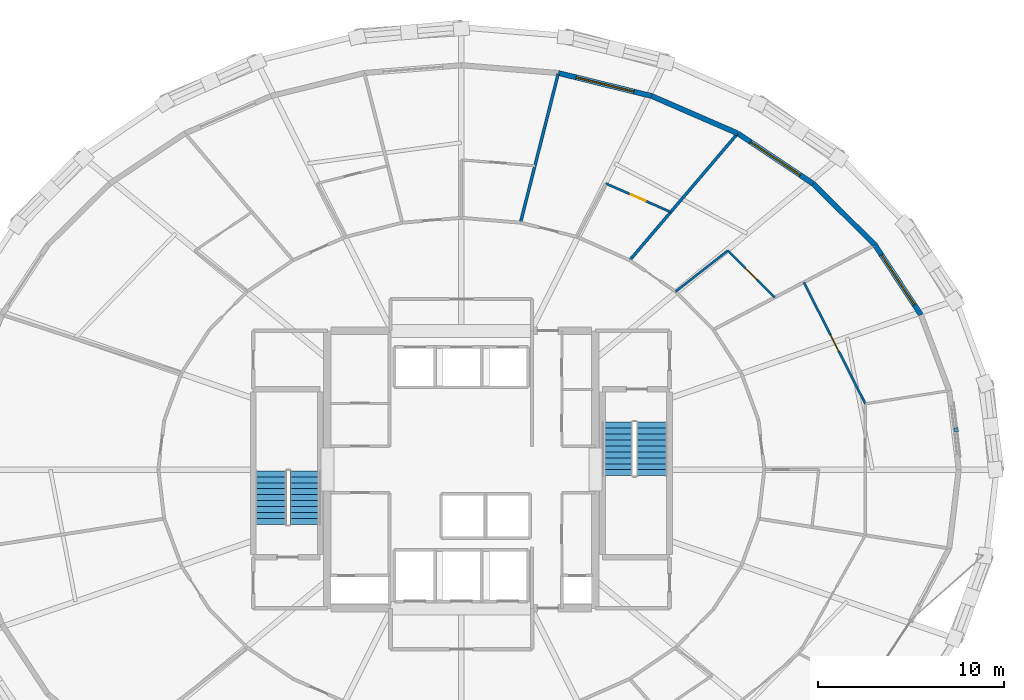
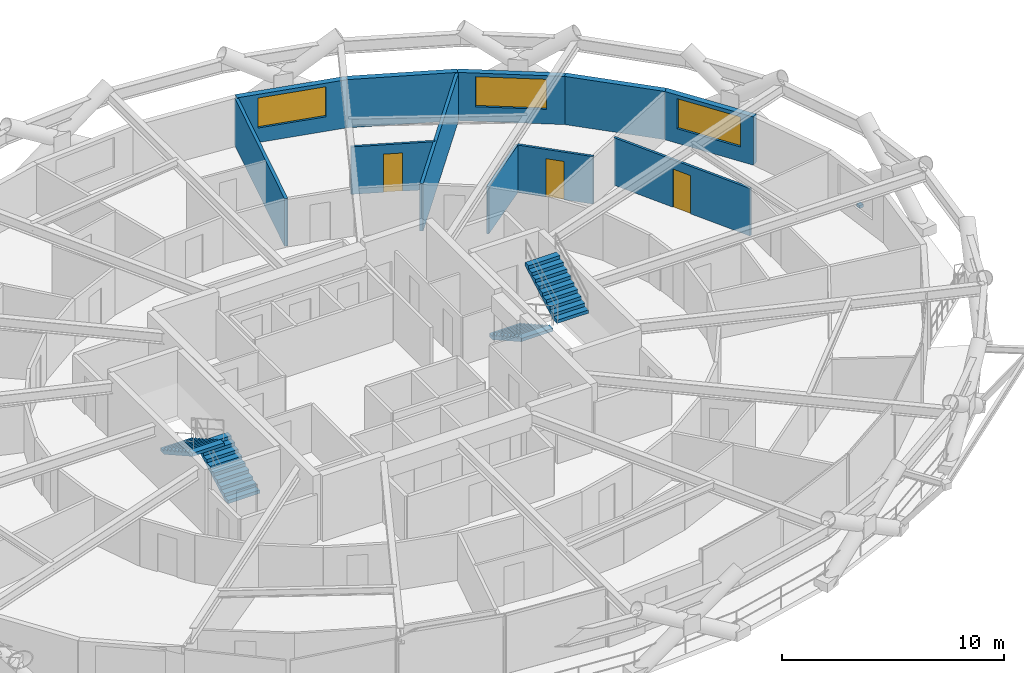
# One storey, part 19 of 21: 11 walls, 4 stair flights, 3 doors, 3 windows, 1 discrete accessory, 6 openings, 2 elements without a shape of their own.
"""IFC4 building model written with IfcOpenShell, lengths in metres."""

import ifcopenshell
import ifcopenshell.guid

model = None  # the IFC model being written
_history = None  # IfcOwnerHistory: only IFC2X3 demands one
_inside = {}  # id of a spatial element -> (the spatial element, [elements in it])
_under = {}  # id of a project, library or spatial element -> (it, [spatial elements below it])
_declared = {}  # id of a project -> (the project, [libraries it declares])
_typed = {}  # id of a type object -> (the type object, [elements of that type])
_made_of = {}  # id of a material, layer set ... -> (it, [elements and type objects made of it])


def new_model(schema):
    """Start an empty IFC model of exactly this schema.

    Asked for "IFC4X3", IfcOpenShell would pick the latest addendum, in which some entities
    have other attributes; the version numbers below select the first issue.
    IFC2X3 requires an IfcOwnerHistory on every rooted entity: one is made here for all.
    """
    global model, _history
    if schema == "IFC4X3":
        model = ifcopenshell.file(schema_version=(4, 3, 0, 0))
    else:
        model = ifcopenshell.file(schema=schema)
    _inside.clear()
    _under.clear()
    _declared.clear()
    _typed.clear()
    _made_of.clear()
    _history = None
    if model.schema == "IFC2X3":
        org = make("IfcOrganization", Name="unknown")
        user = make(
            "IfcPersonAndOrganization",
            ThePerson=make("IfcPerson", FamilyName="unknown"),
            TheOrganization=org,
        )
        app = make(
            "IfcApplication",
            ApplicationDeveloper=org,
            Version="unknown",
            ApplicationFullName="unknown",
            ApplicationIdentifier="unknown",
        )
        _history = make(
            "IfcOwnerHistory",
            OwningUser=user,
            OwningApplication=app,
            ChangeAction="ADDED",
            CreationDate=0,
        )
    return model


def make(cls, **values):
    """One entity of the class cls with the attributes given. An attribute that is None is left unset."""
    return model.create_entity(
        cls, **{name: value for name, value in values.items() if value is not None}
    )


def rooted(cls, **values):
    """An entity with a GlobalId (a new one), such as an element, a storey or a relation."""
    return make(cls, GlobalId=ifcopenshell.guid.new(), OwnerHistory=_history, **values)


def si_unit(unit_type, name, prefix=None):
    """IfcSIUnit, for example si_unit("LENGTHUNIT", "METRE", prefix="MILLI")."""
    return make("IfcSIUnit", UnitType=unit_type, Prefix=prefix, Name=name)


def assignment(units):
    """IfcUnitAssignment: the units of a project."""
    return None if units is None else make("IfcUnitAssignment", Units=units)


def point(xyz):
    """IfcCartesianPoint."""
    return None if xyz is None else make("IfcCartesianPoint", Coordinates=xyz)


def direction(xyz):
    """IfcDirection."""
    return None if xyz is None else make("IfcDirection", DirectionRatios=xyz)


def frame(location, z_axis=None, x_axis=None):
    """IfcAxis2Placement3D, a coordinate frame: its origin and axes. An axis left out is left unset."""
    return make(
        "IfcAxis2Placement3D",
        Location=point(location),
        Axis=direction(z_axis),
        RefDirection=direction(x_axis),
    )


def frame_2d(location, x_axis=None):
    """IfcAxis2Placement2D, a coordinate frame in the plane: its origin and x axis."""
    return make(
        "IfcAxis2Placement2D", Location=point(location), RefDirection=direction(x_axis)
    )


def origin():
    """The frame at (0, 0, 0) with its axes left unset."""
    return frame((0.0, 0.0, 0.0))


def origin_2d():
    """The frame at (0, 0) in the plane with its x axis left unset."""
    return frame_2d((0.0, 0.0))


def place(relative_to, where):
    """IfcLocalPlacement: puts the frame where relative to a parent placement (None: the world)."""
    return make(
        "IfcLocalPlacement", PlacementRelTo=relative_to, RelativePlacement=where
    )


def context(
    kind, dimensions, precision=None, world=None, true_north=None, identifier=None
):
    """IfcGeometricRepresentationContext, for example the 3D "Model" context."""
    return make(
        "IfcGeometricRepresentationContext",
        ContextIdentifier=identifier,
        ContextType=kind,
        CoordinateSpaceDimension=dimensions,
        Precision=precision,
        WorldCoordinateSystem=world,
        TrueNorth=true_north,
    )


def subcontext(parent, identifier, kind, view, scale=None):
    """IfcGeometricRepresentationSubContext, for example "Body" below "Model"."""
    return make(
        "IfcGeometricRepresentationSubContext",
        ContextIdentifier=identifier,
        ContextType=kind,
        ParentContext=parent,
        TargetScale=scale,
        TargetView=view,
    )


def project(units=None, contexts=None):
    """IfcProject with its units and contexts."""
    return rooted(
        "IfcProject",
        Name="project",
        RepresentationContexts=contexts,
        UnitsInContext=assignment(units),
    )


def spatial(cls, under=None, at=None, **own):
    """A site, building, storey or space (cls), placed at a placement, below another one or the project."""
    s = rooted(cls, ObjectPlacement=at, **own)
    if under is not None:
        _under.setdefault(under.id(), (under, []))[1].append(s)
    return s


def polyline(points):
    """IfcPolyline through the points."""
    return make("IfcPolyline", Points=[point(p) for p in points])


def profile(cls, at=None, kind="AREA", **sizes):
    """A parametric profile (cls). Its sizes go by their IFC names, for example OverallWidth=200.0."""
    return make(cls, ProfileType=kind, Position=at, **sizes)


def rectangle(**sizes):
    """IfcRectangleProfileDef."""
    return profile("IfcRectangleProfileDef", **sizes)


def outline(outer, holes=None, kind="AREA"):
    """IfcArbitraryClosedProfileDef: a profile drawn as a closed curve; with holes, ...WithVoids."""
    if holes is None:
        return make("IfcArbitraryClosedProfileDef", ProfileType=kind, OuterCurve=outer)
    return make(
        "IfcArbitraryProfileDefWithVoids",
        ProfileType=kind,
        OuterCurve=outer,
        InnerCurves=holes,
    )


def extrude(swept, where, along, depth):
    """IfcExtrudedAreaSolid: the profile swept, set in the frame where, extruded along a direction by depth."""
    return make(
        "IfcExtrudedAreaSolid",
        SweptArea=swept,
        Position=where,
        ExtrudedDirection=direction(along),
        Depth=depth,
    )


def shape(context_of_items, identifier, shape_type, items):
    """IfcShapeRepresentation: the items that make up one representation, for example the "Body"."""
    return make(
        "IfcShapeRepresentation",
        ContextOfItems=context_of_items,
        RepresentationIdentifier=identifier,
        RepresentationType=shape_type,
        Items=items,
    )


def material(Name=None, Category=None):
    """IfcMaterial."""
    return make("IfcMaterial", Name=Name, Category=Category)


def layer(
    of_material, thickness, ventilated=None, Name=None, Category=None, Priority=None
):
    """IfcMaterialLayer: one layer of a wall or slab, of a material (None: an air gap)."""
    return make(
        "IfcMaterialLayer",
        Material=of_material,
        LayerThickness=thickness,
        IsVentilated=ventilated,
        Name=Name,
        Category=Category,
        Priority=Priority,
    )


def layer_set(layers, Name=None):
    """IfcMaterialLayerSet."""
    return make("IfcMaterialLayerSet", MaterialLayers=layers, LayerSetName=Name)


def made_of(thing, what):
    """Note that an element or type object is made of a material, layer set ...; save() writes the relation."""
    if what is not None:
        _made_of.setdefault(what.id(), (what, []))[1].append(thing)
    return thing


def type_object(cls, material=None, **own):
    """A type object (cls), such as IfcWallType, which elements share."""
    return made_of(rooted(cls, **own), material)


def element(
    cls,
    number,
    at=None,
    inside=None,
    cuts=None,
    type_object=None,
    material=None,
    context=None,
    identifier="Body",
    shape_type=None,
    held_by="IfcProductDefinitionShape",
    body=None,
    shapes=None,
    **own,
):
    """One element of the class cls, such as IfcWall. Its Tag is "e" and its number.

    at: its placement. inside: the storey or other place that contains it. cuts: it is an
    opening in that element (IfcRelVoidsElement). A single representation is given by context,
    identifier, shape_type and body (its items); several are given by shapes. held_by: the class
    of the entity that holds the representations. save() writes the other relations.
    """
    e = rooted(cls, Tag="e%d" % number, ObjectPlacement=at, **own)
    if body is not None:
        shapes = [shape(context, identifier, shape_type, body)]
    if shapes is not None:
        e.Representation = make(held_by, Representations=shapes)
    if inside is not None:
        _inside.setdefault(inside.id(), (inside, []))[1].append(e)
    if cuts is not None:
        rooted(
            "IfcRelVoidsElement", RelatingBuildingElement=cuts, RelatedOpeningElement=e
        )
    if type_object is not None:
        _typed.setdefault(type_object.id(), (type_object, []))[1].append(e)
    return made_of(e, material)


def fill(opening, filler):
    """IfcRelFillsElement: the door or window that sits in an opening."""
    return rooted(
        "IfcRelFillsElement",
        RelatingOpeningElement=opening,
        RelatedBuildingElement=filler,
    )


def aggregate(whole, parts):
    """IfcRelAggregates: a whole, such as a stair, and the parts it consists of."""
    return rooted("IfcRelAggregates", RelatingObject=whole, RelatedObjects=parts)


def save(model, path):
    """Write the relations noted so far, then the file.

    IfcRelAggregates (storeys below a building ...), IfcRelContainedInSpatialStructure (elements
    in a storey), IfcRelDefinesByType, IfcRelAssociatesMaterial and IfcRelDeclares: one each for
    every whole, place, type object, material and project.
    """
    for whole, parts in _under.values():
        aggregate(whole, parts)
    for where, things in _inside.values():
        rooted(
            "IfcRelContainedInSpatialStructure",
            RelatedElements=things,
            RelatingStructure=where,
        )
    for kind, things in _typed.values():
        rooted("IfcRelDefinesByType", RelatedObjects=things, RelatingType=kind)
    for what, things in _made_of.values():
        rooted("IfcRelAssociatesMaterial", RelatedObjects=things, RelatingMaterial=what)
    for by, libraries in _declared.values():
        rooted("IfcRelDeclares", RelatingContext=by, RelatedDefinitions=libraries)
    model.write(path)


model = new_model("IFC4")

# Units and contexts
model_context = context("Model", 3, precision=1e-05, world=origin(), true_north=direction((0.0, 1.0)))
body_context = subcontext(model_context, "Body", "Model", "MODEL_VIEW")
ifc_project = project(units=[si_unit("LENGTHUNIT", "METRE"), si_unit("AREAUNIT", "SQUARE_METRE"), si_unit("VOLUMEUNIT", "CUBIC_METRE"), si_unit("PLANEANGLEUNIT", "RADIAN"), si_unit("MASSUNIT", "GRAM", prefix="KILO")], contexts=[model_context])

# Site, building, storey
site_placement = place(None, origin())
site = spatial("IfcSite", under=ifc_project, at=site_placement, CompositionType="ELEMENT")
building_placement = place(site_placement, origin())
building = spatial("IfcBuilding", under=site, at=building_placement, Name="Veldorina Hangang Commons", CompositionType="ELEMENT")
storey_placement = place(building_placement, frame((0.0, 0.0, 59.199951171875)))
storey = spatial("IfcBuildingStorey", under=building, at=storey_placement, Name="L14", CompositionType="ELEMENT", Elevation=59.199951171875)

# Wall, opening, window
ifc_material_1 = material(Name="Stone Roman Travertine", Category="masonry")
ifc_layer_1 = layer(ifc_material_1, 0.280029296875)
ifc_layer_set_1 = layer_set([ifc_layer_1], Name="Stone Roman Travertine")
wall_type_1 = type_object("IfcWallType", Name="EW-TRAV-280", PredefinedType="STANDARD", material=ifc_layer_set_1)
wall_1_placement = place(storey_placement, frame((56.67919921875, 32.30908203125, 0.0), z_axis=(0.0, 0.0, 1.0), x_axis=(-0.549434846356, 0.835536563898, 0.0)))
wall_1 = element("IfcWall", 1, at=wall_1_placement, inside=storey, type_object=wall_type_1, Name="L14 travertine facade wall 02", PredefinedType="STANDARD", context=body_context, shape_type="SweptSolid", body=[
    extrude(rectangle(XDim=4.492919921875, YDim=0.280029296875, at=frame_2d((2.24658203125, 0.0))), origin(), (0.0, 0.0, 1.0), 2.650146484375),
])
opening_1_placement = place(wall_1_placement, frame((0.646484375, 0.0, 0.800048828125)))
opening_1 = element("IfcOpeningElement", 2, at=opening_1_placement, cuts=wall_1, Name="Opening W-01", PredefinedType="OPENING", context=body_context, shape_type="SweptSolid", body=[
    extrude(rectangle(XDim=3.199951171875, YDim=1.64990234375, at=frame_2d((1.60009765625, 0.824951171875))), frame((0.0, 0.14990234375, 0.0), z_axis=(0.0, -1.0, 0.0), x_axis=(1.0, 0.0, 0.0)), (0.0, 0.0, 1.0), 0.300048828125),
])
ifc_material_2 = material(Name="Glass Low-E Triple IGU", Category="glass")
window_type = type_object("IfcWindowType", Name="WIN-TWR-3200", PartitioningType="SINGLE_PANEL", PredefinedType="WINDOW", material=ifc_material_2)
window_1_placement = place(opening_1_placement, origin())
window_1 = element("IfcWindow", 3, at=window_1_placement, inside=storey, type_object=window_type, Name="L14 facade window 02", OverallHeight=1.64990234375, OverallWidth=3.199951171875, PartitioningType="SINGLE_PANEL", PredefinedType="WINDOW", context=body_context, shape_type="SweptSolid", body=[
    extrude(rectangle(XDim=3.199951171875, YDim=1.64990234375, at=frame_2d((1.60009765625, 0.824951171875))), frame((0.0, 0.030029296875, 0.0), z_axis=(0.0, -1.0, 0.0), x_axis=(1.0, 0.0, 0.0)), (0.0, 0.0, 1.0), 0.06005859375),
])
fill(opening_1, window_1)

# Wall
wall_2_placement = place(storey_placement, frame((54.210693359375, 36.06298828125, 0.0), z_axis=(0.0, 0.0, 1.0), x_axis=(-0.710492625766, 0.70370464595, 0.0)))
element("IfcWall", 4, at=wall_2_placement, inside=storey, type_object=wall_type_1, Name="L14 travertine facade wall 03", PredefinedType="STANDARD", context=body_context, shape_type="SweptSolid", body=[
    extrude(rectangle(XDim=4.67578125, YDim=0.280029296875, at=frame_2d((2.337890625, 0.0))), origin(), (0.0, 0.0, 1.0), 2.650146484375),
])

# Wall, opening, window
wall_3_placement = place(storey_placement, frame((50.888671875, 39.353271484375, 0.0), z_axis=(0.0, 0.0, 1.0), x_axis=(-0.83189587854, 0.5549317501, 0.0)))
wall_3 = element("IfcWall", 5, at=wall_3_placement, inside=storey, type_object=wall_type_1, Name="L14 travertine facade wall 04", PredefinedType="STANDARD", context=body_context, shape_type="SweptSolid", body=[
    extrude(rectangle(XDim=4.86572265625, YDim=0.280029296875, at=frame_2d((2.432861328125, 0.0))), origin(), (0.0, 0.0, 1.0), 2.650146484375),
])
opening_2_placement = place(wall_3_placement, frame((0.8330078125, 0.0, 0.800048828125)))
opening_2 = element("IfcOpeningElement", 6, at=opening_2_placement, cuts=wall_3, Name="Opening W-01", PredefinedType="OPENING", context=body_context, shape_type="SweptSolid", body=[
    extrude(rectangle(XDim=3.199951171875, YDim=1.64990234375, at=frame_2d((1.60009765625, 0.824951171875))), frame((0.0, 0.14990234375, 0.0), z_axis=(0.0, -1.0, 0.0), x_axis=(1.0, 0.0, 0.0)), (0.0, 0.0, 1.0), 0.300048828125),
])
window_2_placement = place(opening_2_placement, origin())
window_2 = element("IfcWindow", 7, at=window_2_placement, inside=storey, type_object=window_type, Name="L14 facade window 04", OverallHeight=1.64990234375, OverallWidth=3.199951171875, PartitioningType="SINGLE_PANEL", PredefinedType="WINDOW", context=body_context, shape_type="SweptSolid", body=[
    extrude(rectangle(XDim=3.199951171875, YDim=1.64990234375, at=frame_2d((1.60009765625, 0.824951171875))), frame((0.0, 0.030029296875, 0.0), z_axis=(0.0, -1.0, 0.0), x_axis=(1.0, 0.0, 0.0)), (0.0, 0.0, 1.0), 0.06005859375),
])
fill(opening_2, window_2)

# Wall
wall_4_placement = place(storey_placement, frame((46.8408203125, 42.053466796875, 0.0), z_axis=(0.0, 0.0, 1.0), x_axis=(-0.917190263452, 0.398449520804, 0.0)))
element("IfcWall", 8, at=wall_4_placement, inside=storey, type_object=wall_type_1, Name="L14 travertine facade wall 05", PredefinedType="STANDARD", context=body_context, shape_type="SweptSolid", body=[
    extrude(rectangle(XDim=5.035400390625, YDim=0.280029296875, at=frame_2d((2.517578125, 0.0))), origin(), (0.0, 0.0, 1.0), 2.650146484375),
])

# Wall, opening, window
wall_5_placement = place(storey_placement, frame((42.222412109375, 44.059814453125, 0.0), z_axis=(0.0, 0.0, 1.0), x_axis=(-0.970919369657, 0.239406720089, 0.0)))
wall_5 = element("IfcWall", 9, at=wall_5_placement, inside=storey, type_object=wall_type_1, Name="L14 travertine facade wall 06", PredefinedType="STANDARD", context=body_context, shape_type="SweptSolid", body=[
    extrude(rectangle(XDim=5.1611328125, YDim=0.280029296875, at=frame_2d((2.58056640625, 0.0))), origin(), (0.0, 0.0, 1.0), 2.650146484375),
])
opening_3_placement = place(wall_5_placement, frame((0.980712890625, 0.0, 0.800048828125)))
opening_3 = element("IfcOpeningElement", 10, at=opening_3_placement, cuts=wall_5, Name="Opening W-01", PredefinedType="OPENING", context=body_context, shape_type="SweptSolid", body=[
    extrude(rectangle(XDim=3.199951171875, YDim=1.64990234375, at=frame_2d((1.60009765625, 0.824951171875))), frame((0.0, 0.14990234375, 0.0), z_axis=(0.0, -1.0, 0.0), x_axis=(1.0, 0.0, 0.0)), (0.0, 0.0, 1.0), 0.300048828125),
])
window_3_placement = place(opening_3_placement, origin())
window_3 = element("IfcWindow", 11, at=window_3_placement, inside=storey, type_object=window_type, Name="L14 facade window 06", OverallHeight=1.64990234375, OverallWidth=3.199951171875, PartitioningType="SINGLE_PANEL", PredefinedType="WINDOW", context=body_context, shape_type="SweptSolid", body=[
    extrude(rectangle(XDim=3.199951171875, YDim=1.64990234375, at=frame_2d((1.60009765625, 0.824951171875))), frame((0.0, 0.030029296875, 0.0), z_axis=(0.0, -1.0, 0.0), x_axis=(1.0, 0.0, 0.0)), (0.0, 0.0, 1.0), 0.06005859375),
])
fill(opening_3, window_3)

# Walls
ifc_material_3 = material(Name="Gypsum Fire-Rated Twin Stud Wall", Category="gypsum")
ifc_layer_2 = layer(ifc_material_3, 0.159912109375)
ifc_layer_set_2 = layer_set([ifc_layer_2], Name="Gypsum Fire-Rated Twin Stud Wall")
wall_type_2 = type_object("IfcWallType", Name="WL-FIRE-160", PredefinedType="SOLIDWALL", material=ifc_layer_set_2)
wall_6_placement = place(storey_placement, frame((41.041259765625, 35.23974609375, 0.0), z_axis=(0.0, 0.0, 1.0), x_axis=(0.648157225864, 0.761506540064, 0.0)))
element("IfcWall", 12, at=wall_6_placement, inside=storey, type_object=wall_type_2, Name="L14 Unit party wall 05 099", PredefinedType="SOLIDWALL", context=body_context, shape_type="SweptSolid", body=[
    extrude(rectangle(XDim=8.897705078125, YDim=0.159912109375, at=frame_2d((4.44873046875, 0.0))), origin(), (0.0, 0.0, 1.0), 2.610107421875),
])
wall_7_placement = place(storey_placement, frame((35.1748046875, 37.25830078125, 0.0), z_axis=(0.0, 0.0, 1.0), x_axis=(0.24564316936, 0.969360321731, 0.0)))
element("IfcWall", 13, at=wall_7_placement, inside=storey, type_object=wall_type_2, Name="L14 Unit party wall 07 102", PredefinedType="SOLIDWALL", context=body_context, shape_type="SweptSolid", body=[
    extrude(rectangle(XDim=8.2412109375, YDim=0.159912109375, at=frame_2d((4.12060546875, 0.0))), origin(), (0.0, 0.0, 1.0), 2.610107421875),
])

# Wall, opening, door
ifc_material_4 = material(Name="Gypsum Acoustic Stud Partition", Category="gypsum")
ifc_layer_3 = layer(ifc_material_4, 0.1201171875)
ifc_layer_set_3 = layer_set([ifc_layer_3], Name="Gypsum Acoustic Stud Partition")
wall_type_3 = type_object("IfcWallType", Name="WL-PART-120", PredefinedType="PARTITIONING", material=ifc_layer_set_3)
wall_8_placement = place(storey_placement, frame((53.694580078125, 27.532470703125, 0.0), z_axis=(0.0, 0.0, 1.0), x_axis=(-0.45148033716, 0.892281068474, 0.0)))
wall_8 = element("IfcWall", 14, at=wall_8_placement, inside=storey, type_object=wall_type_3, Name="L14 Cluster 3 bed 2 front wall 094", PredefinedType="PARTITIONING", context=body_context, shape_type="SweptSolid", body=[
    extrude(rectangle(XDim=7.3154296875, YDim=0.1201171875, at=frame_2d((3.65771484375, 0.0))), origin(), (0.0, 0.0, 1.0), 2.610107421875),
])
opening_4_placement = place(wall_8_placement, frame((3.1826171875, 0.0, 0.0)))
opening_4 = element("IfcOpeningElement", 15, at=opening_4_placement, cuts=wall_8, Name="Opening D-02", PredefinedType="OPENING", context=body_context, shape_type="SweptSolid", body=[
    extrude(rectangle(XDim=0.949951171875, YDim=2.10009765625, at=frame_2d((0.47509765625, 1.050048828125))), frame((0.0, 0.070068359375, 0.0), z_axis=(0.0, -1.0, 0.0), x_axis=(1.0, 0.0, 0.0)), (0.0, 0.0, 1.0), 0.14013671875),
])
ifc_material_5 = material(Name="Timber Solid Core Acoustic", Category="wood")
door_type_1 = type_object("IfcDoorType", Name="DR-INT-950", OperationType="SINGLE_SWING_LEFT", PredefinedType="DOOR", material=ifc_material_5)
door_1_placement = place(opening_4_placement, origin())
door_1 = element("IfcDoor", 16, at=door_1_placement, inside=storey, type_object=door_type_1, Name="L14 Cluster 3 bed 2 door 030", OperationType="SINGLE_SWING_RIGHT", OverallHeight=2.10009765625, OverallWidth=0.949951171875, PredefinedType="DOOR", context=body_context, shape_type="SweptSolid", body=[
    extrude(rectangle(XDim=0.949951171875, YDim=2.10009765625, at=frame_2d((0.47509765625, 1.050048828125))), frame((0.0, 0.02490234375, 0.0), z_axis=(0.0, -1.0, 0.0), x_axis=(1.0, 0.0, 0.0)), (0.0, 0.0, 1.0), 0.050048828125),
])
fill(opening_4, door_1)

wall_9_placement = place(storey_placement, frame((48.82958984375, 33.240234375, 0.0), z_axis=(0.0, 0.0, 1.0), x_axis=(-0.706661122184, 0.707552159486, 0.0)))
wall_9 = element("IfcWall", 17, at=wall_9_placement, inside=storey, type_object=wall_type_3, Name="L14 Studio 4 bath front wall 097", PredefinedType="PARTITIONING", context=body_context, shape_type="SweptSolid", body=[
    extrude(rectangle(XDim=3.56201171875, YDim=0.1201171875, at=frame_2d((1.781005859375, 0.0))), origin(), (0.0, 0.0, 1.0), 2.610107421875),
])
opening_5_placement = place(wall_9_placement, frame((1.35107421875, 0.0, 0.0)))
opening_5 = element("IfcOpeningElement", 18, at=opening_5_placement, cuts=wall_9, Name="Opening D-01", PredefinedType="OPENING", context=body_context, shape_type="SweptSolid", body=[
    extrude(rectangle(XDim=0.860107421875, YDim=2.10009765625, at=frame_2d((0.43017578125, 1.050048828125))), frame((0.0, 0.070068359375, 0.0), z_axis=(0.0, -1.0, 0.0), x_axis=(1.0, 0.0, 0.0)), (0.0, 0.0, 1.0), 0.14013671875),
])
ifc_material_6 = material(Name="Timber Moisture-Resistant Core", Category="wood")
door_type_2 = type_object("IfcDoorType", Name="DR-WET-860", OperationType="SINGLE_SWING_LEFT", PredefinedType="DOOR", material=ifc_material_6)
door_2_placement = place(opening_5_placement, origin())
door_2 = element("IfcDoor", 19, at=door_2_placement, inside=storey, type_object=door_type_2, Name="L14 Studio 4 bathroom door 031", OperationType="SINGLE_SWING_LEFT", OverallHeight=2.10009765625, OverallWidth=0.860107421875, PredefinedType="DOOR", context=body_context, shape_type="SweptSolid", body=[
    extrude(rectangle(XDim=0.860107421875, YDim=2.10009765625, at=frame_2d((0.43017578125, 1.050048828125))), frame((0.0, 0.02490234375, 0.0), z_axis=(0.0, -1.0, 0.0), x_axis=(1.0, 0.0, 0.0)), (0.0, 0.0, 1.0), 0.050048828125),
])
fill(opening_5, door_2)

# Wall
wall_10_placement = place(storey_placement, frame((43.507568359375, 33.55859375, 0.0), z_axis=(0.0, 0.0, 1.0), x_axis=(0.786586722527, 0.617479819868, 0.0)))
element("IfcWall", 20, at=wall_10_placement, inside=storey, type_object=wall_type_3, Name="L14 Studio 4 bath side wall 098", PredefinedType="PARTITIONING", context=body_context, shape_type="SweptSolid", body=[
    extrude(rectangle(XDim=3.56591796875, YDim=0.1201171875, at=frame_2d((1.782958984375, 0.0))), origin(), (0.0, 0.0, 1.0), 2.610107421875),
])

# Wall, opening, door
wall_11_placement = place(storey_placement, frame((43.2451171875, 37.8291015625, 0.0), z_axis=(0.0, 0.0, 1.0), x_axis=(-0.915586098947, 0.402121990712, 0.0)))
wall_11 = element("IfcWall", 21, at=wall_11_placement, inside=storey, type_object=wall_type_3, Name="L14 Studio 5 bath front wall 100", PredefinedType="PARTITIONING", context=body_context, shape_type="SweptSolid", body=[
    extrude(rectangle(XDim=3.82177734375, YDim=0.1201171875, at=frame_2d((1.910888671875, 0.0))), origin(), (0.0, 0.0, 1.0), 2.610107421875),
])
opening_6_placement = place(wall_11_placement, frame((1.48095703125, 0.0, 0.0)))
opening_6 = element("IfcOpeningElement", 22, at=opening_6_placement, cuts=wall_11, Name="Opening D-01", PredefinedType="OPENING", context=body_context, shape_type="SweptSolid", body=[
    extrude(rectangle(XDim=0.860107421875, YDim=2.10009765625, at=frame_2d((0.43017578125, 1.050048828125))), frame((0.0, 0.070068359375, 0.0), z_axis=(0.0, -1.0, 0.0), x_axis=(1.0, 0.0, 0.0)), (0.0, 0.0, 1.0), 0.14013671875),
])
door_3_placement = place(opening_6_placement, origin())
door_3 = element("IfcDoor", 23, at=door_3_placement, inside=storey, type_object=door_type_2, Name="L14 Studio 5 bathroom door 033", OperationType="SINGLE_SWING_LEFT", OverallHeight=2.10009765625, OverallWidth=0.860107421875, PredefinedType="DOOR", context=body_context, shape_type="SweptSolid", body=[
    extrude(rectangle(XDim=0.860107421875, YDim=2.10009765625, at=frame_2d((0.43017578125, 1.050048828125))), frame((0.0, 0.02490234375, 0.0), z_axis=(0.0, -1.0, 0.0), x_axis=(1.0, 0.0, 0.0)), (0.0, 0.0, 1.0), 0.050048828125),
])
fill(opening_6, door_3)

# Stair, stair flights
ifc_material_7 = material(Name="Concrete C40/50", Category="concrete")
stair_type = type_object("IfcStairType", Name="STR-DOG-1650-20R", PredefinedType="HALF_TURN_STAIR", material=ifc_material_7)
stair_1_placement = place(storey_placement, origin())
stair_1 = element("IfcStair", 24, at=stair_1_placement, inside=storey, type_object=stair_type, Name="L14 Exit stair ST-1", PredefinedType="HALF_TURN_STAIR")
stair_flight_type = type_object("IfcStairFlightType", Name="SFL-STR-1650-20R", PredefinedType="STRAIGHT", material=ifc_material_7)
stair_flight_1_placement = place(storey_placement, frame((23.625, 21.050048828125, 0.0), z_axis=(0.0, 0.0, 1.0), x_axis=(0.0, 1.0, 0.0)))
stair_flight_1 = element("IfcStairFlight", 25, at=stair_flight_1_placement, type_object=stair_flight_type, Name="ST-1 flight 1", NumberOfRisers=10, NumberOfTreads=9, PredefinedType="STRAIGHT", RiserHeight=0.18, TreadLength=0.32, context=body_context, shape_type="SweptSolid", body=[
    extrude(outline(polyline([(0.0, 0.0), (0.0, 0.179931640625), (0.320068359375, 0.179931640625), (0.320068359375, 0.360107421875), (0.639892578125, 0.360107421875), (0.639892578125, 0.5400390625), (0.9599609375, 0.5400390625), (0.9599609375, 0.719970703125), (1.280029296875, 0.719970703125), (1.280029296875, 0.89990234375), (1.60009765625, 0.89990234375), (1.60009765625, 1.080078125), (1.919921875, 1.080078125), (1.919921875, 1.260009765625), (2.239990234375, 1.260009765625), (2.239990234375, 1.43994140625), (2.56005859375, 1.43994140625), (2.56005859375, 1.6201171875), (2.8798828125, 1.6201171875), (2.8798828125, 1.800048828125), (2.8798828125, 1.447998046875), (0.3056640625, 0.0), (0.0, 0.0)])), frame((0.0, 0.824951171875, 0.0), z_axis=(0.0, -1.0, 0.0), x_axis=(1.0, 0.0, 0.0)), (0.0, 0.0, 1.0), 1.64990234375),
])
stair_flight_2_placement = place(storey_placement, frame((21.77490234375, 23.929931640625, 1.800048828125), z_axis=(0.0, 0.0, 1.0), x_axis=(0.0, -1.0, 0.0)))
stair_flight_2 = element("IfcStairFlight", 26, at=stair_flight_2_placement, type_object=stair_flight_type, Name="ST-1 flight 2", NumberOfRisers=10, NumberOfTreads=9, PredefinedType="STRAIGHT", RiserHeight=0.18, TreadLength=0.32, context=body_context, shape_type="SweptSolid", body=[
    extrude(outline(polyline([(0.0, 0.0), (0.0, 0.179931640625), (0.320068359375, 0.179931640625), (0.320068359375, 0.360107421875), (0.639892578125, 0.360107421875), (0.639892578125, 0.5400390625), (0.9599609375, 0.5400390625), (0.9599609375, 0.719970703125), (1.280029296875, 0.719970703125), (1.280029296875, 0.89990234375), (1.60009765625, 0.89990234375), (1.60009765625, 1.080078125), (1.919921875, 1.080078125), (1.919921875, 1.260009765625), (2.239990234375, 1.260009765625), (2.239990234375, 1.43994140625), (2.56005859375, 1.43994140625), (2.56005859375, 1.6201171875), (2.8798828125, 1.6201171875), (2.8798828125, 1.800048828125), (2.8798828125, 1.447998046875), (0.3056640625, 0.0), (0.0, 0.0)])), frame((0.0, 0.824951171875, 0.0), z_axis=(0.0, -1.0, 0.0), x_axis=(1.0, 0.0, 0.0)), (0.0, 0.0, 1.0), 1.64990234375),
])
aggregate(stair_1, [stair_flight_1, stair_flight_2])

stair_2_placement = place(storey_placement, origin())
stair_2 = element("IfcStair", 27, at=stair_2_placement, inside=storey, type_object=stair_type, Name="L14 Exit stair ST-2", PredefinedType="HALF_TURN_STAIR")
stair_flight_3_placement = place(storey_placement, frame((40.375, 26.550048828125, 0.0), z_axis=(0.0, 0.0, 1.0), x_axis=(0.0, -1.0, 0.0)))
stair_flight_3 = element("IfcStairFlight", 28, at=stair_flight_3_placement, type_object=stair_flight_type, Name="ST-2 flight 1", NumberOfRisers=10, NumberOfTreads=9, PredefinedType="STRAIGHT", RiserHeight=0.18, TreadLength=0.32, context=body_context, shape_type="SweptSolid", body=[
    extrude(outline(polyline([(0.0, 0.0), (0.0, 0.179931640625), (0.320068359375, 0.179931640625), (0.320068359375, 0.360107421875), (0.639892578125, 0.360107421875), (0.639892578125, 0.5400390625), (0.9599609375, 0.5400390625), (0.9599609375, 0.719970703125), (1.280029296875, 0.719970703125), (1.280029296875, 0.89990234375), (1.60009765625, 0.89990234375), (1.60009765625, 1.080078125), (1.919921875, 1.080078125), (1.919921875, 1.260009765625), (2.239990234375, 1.260009765625), (2.239990234375, 1.43994140625), (2.56005859375, 1.43994140625), (2.56005859375, 1.6201171875), (2.8798828125, 1.6201171875), (2.8798828125, 1.800048828125), (2.8798828125, 1.447998046875), (0.3056640625, 0.0), (0.0, 0.0)])), frame((0.0, 0.824951171875, 0.0), z_axis=(0.0, -1.0, 0.0), x_axis=(1.0, 0.0, 0.0)), (0.0, 0.0, 1.0), 1.64990234375),
])
stair_flight_4_placement = place(storey_placement, frame((42.22509765625, 23.669921875, 1.800048828125), z_axis=(0.0, 0.0, 1.0), x_axis=(0.0, 1.0, 0.0)))
stair_flight_4 = element("IfcStairFlight", 29, at=stair_flight_4_placement, type_object=stair_flight_type, Name="ST-2 flight 2", NumberOfRisers=10, NumberOfTreads=9, PredefinedType="STRAIGHT", RiserHeight=0.18, TreadLength=0.32, context=body_context, shape_type="SweptSolid", body=[
    extrude(outline(polyline([(0.0, 0.0), (0.0, 0.179931640625), (0.320068359375, 0.179931640625), (0.320068359375, 0.360107421875), (0.639892578125, 0.360107421875), (0.639892578125, 0.5400390625), (0.9599609375, 0.5400390625), (0.9599609375, 0.719970703125), (1.280029296875, 0.719970703125), (1.280029296875, 0.89990234375), (1.60009765625, 0.89990234375), (1.60009765625, 1.080078125), (1.919921875, 1.080078125), (1.919921875, 1.260009765625), (2.239990234375, 1.260009765625), (2.239990234375, 1.43994140625), (2.56005859375, 1.43994140625), (2.56005859375, 1.6201171875), (2.8798828125, 1.6201171875), (2.8798828125, 1.800048828125), (2.8798828125, 1.447998046875), (0.3056640625, 0.0), (0.0, 0.0)])), frame((0.0, 0.824951171875, 0.0), z_axis=(0.0, -1.0, 0.0), x_axis=(1.0, 0.0, 0.0)), (0.0, 0.0, 1.0), 1.64990234375),
])
aggregate(stair_2, [stair_flight_3, stair_flight_4])

# Discrete accessory
ifc_material_8 = material(Name="Stainless Steel Brushed 316", Category="steel")
discrete_accessory_type = type_object("IfcDiscreteAccessoryType", Name="BRK-SCR-SS", PredefinedType="BRACKET", material=ifc_material_8)
discrete_accessory_placement = place(storey_placement, frame((58.5751953125, 26.13232421875, 0.72021484375), z_axis=(0.0, 0.0, 1.0), x_axis=(-0.12029277931, 0.992738458631, 0.0)))
element("IfcDiscreteAccessory", 30, at=discrete_accessory_placement, inside=storey, type_object=discrete_accessory_type, Name="L14 solar screen support bracket 00", PredefinedType="BRACKET", context=body_context, shape_type="SweptSolid", body=[
    extrude(rectangle(XDim=0.219970703125, YDim=0.219970703125, at=origin_2d()), origin(), (0.0, 0.0, 1.0), 0.159912109375),
])

save(model, "model.ifc")
